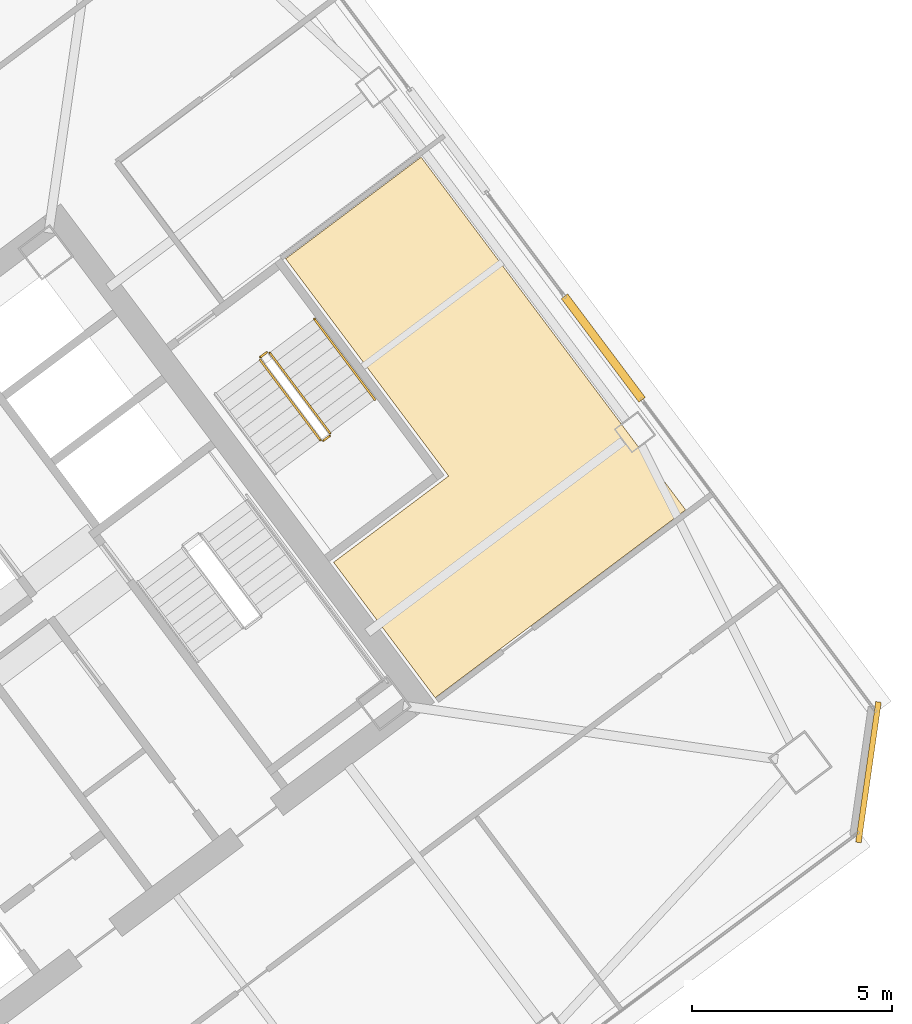
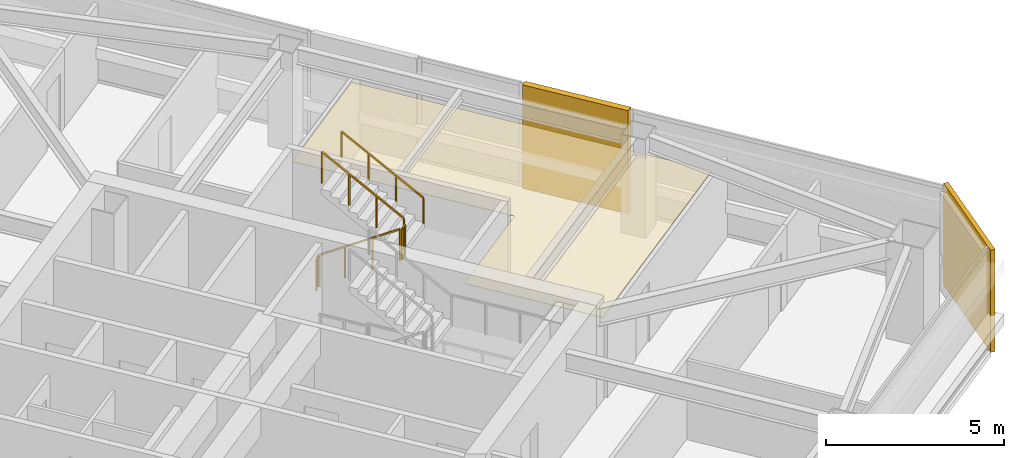
# One storey, part 41 of 43: 5 railings, 3 coverings.
"""IFC4 building model written with IfcOpenShell, lengths in metres."""

from ifc_helpers import new_model, si_unit, direction, frame, origin, origin_2d, place, context, subcontext, project, spatial, polyline, rectangle, outline, extrude, material, layer, layer_set, type_object, element, save


model = new_model("IFC4")

# Units and contexts
model_context = context("Model", 3, precision=1e-05, world=origin(), true_north=direction((0.0, 1.0)))
body_context = subcontext(model_context, "Body", "Model", "MODEL_VIEW")
ifc_project = project(units=[si_unit("LENGTHUNIT", "METRE"), si_unit("AREAUNIT", "SQUARE_METRE"), si_unit("VOLUMEUNIT", "CUBIC_METRE"), si_unit("PLANEANGLEUNIT", "RADIAN"), si_unit("MASSUNIT", "GRAM", prefix="KILO")], contexts=[model_context])

# Site, building, storey
site_placement = place(None, origin())
site = spatial("IfcSite", under=ifc_project, at=site_placement, CompositionType="ELEMENT")
building_placement = place(site_placement, origin())
building = spatial("IfcBuilding", under=site, at=building_placement, Name="Tashvorn Skyway Center", CompositionType="ELEMENT")
storey_placement = place(building_placement, frame((0.0, 0.0, 188.949951171875)))
storey = spatial("IfcBuildingStorey", under=building, at=storey_placement, Name="L51", CompositionType="ELEMENT", Elevation=188.949951171875)

# Coverings
ifc_material_1 = material(Name="Precast concrete C40/50", Category="concrete")
ifc_layer_1 = layer(ifc_material_1, 0.199951171875)
ifc_layer_set_1 = layer_set([ifc_layer_1], Name="Precast concrete C40/50")
covering_type_1 = type_object("IfcCoveringType", Name="COV-BRACE-CLAD", PredefinedType="CLADDING", material=ifc_layer_set_1)
covering_1_placement = place(storey_placement, frame((129.367919921875, 39.47607421875, 0.0), z_axis=(0.0, 0.0, 1.0), x_axis=(0.600000004945, -0.799999996291, 0.0)))
element("IfcCovering", 1, at=covering_1_placement, inside=storey, type_object=covering_type_1, Name="Tower 2 L51 East Unitised Curtain Wall Mega-Brace Cladding Band 2", PredefinedType="CLADDING", context=body_context, shape_type="SweptSolid", body=[
    extrude(rectangle(XDim=3.239990234375, YDim=0.199951171875, at=origin_2d()), origin(), (0.0, 0.0, 1.0), 3.550048828125),
])
ifc_material_2 = material(Name="Mineral-fibre acoustic ceiling tile on suspended grid")
ifc_layer_2 = layer(ifc_material_2, 0.02001953125)
ifc_layer_set_2 = layer_set([ifc_layer_2], Name="Mineral-fibre acoustic ceiling tile on suspended grid")
covering_type_2 = type_object("IfcCoveringType", Name="COV-CEIL-20", PredefinedType="CEILING", material=ifc_layer_set_2)
covering_2_placement = place(storey_placement, frame((0.0, 0.0, 2.703125)))
element("IfcCovering", 2, at=covering_2_placement, inside=storey, type_object=covering_type_2, Name="Tower 2 L51 Public Restroom Acoustic Ceiling", PredefinedType="CEILING", context=body_context, shape_type="SweptSolid", body=[
    extrude(outline(polyline([(125.159912109375, 30.719970703125), (122.615966796875, 34.112060546875), (125.49609375, 36.27197265625), (121.416015625, 41.7119140625), (124.80810546875, 44.256103515625), (128.887939453125, 38.81591796875), (131.431884765625, 35.424072265625), (125.159912109375, 30.719970703125)])), origin(), (0.0, 0.0, 1.0), 0.02001953125),
])
ifc_layer_3 = layer(ifc_material_1, 0.35009765625)
ifc_layer_set_3 = layer_set([ifc_layer_3], Name="Precast concrete C40/50")
covering_type_3 = type_object("IfcCoveringType", Name="COV-STONE-TRIM", PredefinedType="CLADDING", material=ifc_layer_set_3)
covering_3_placement = place(storey_placement, frame((136.008056640625, 28.85595703125, 0.02001953125), z_axis=(0.0, 0.0, 1.0), x_axis=(0.141421350118, 0.989949494535, 0.0)))
element("IfcCovering", 3, at=covering_3_placement, inside=storey, type_object=covering_type_3, Name="Tower 2 L51 SE Mojave Limestone Corner Quoin", PredefinedType="CLADDING", context=body_context, shape_type="SweptSolid", body=[
    extrude(rectangle(XDim=3.55419921875, YDim=0.139892578125, at=origin_2d()), origin(), (0.0, 0.0, 1.0), 3.510009765625),
])

# Railings
ifc_material_3 = material(Name="Brushed stainless steel 316", Category="steel")
railing_type_1 = type_object("IfcRailingType", Name="RAIL-HAND-920", PredefinedType="HANDRAIL", material=ifc_material_3)
railing_1_placement = place(storey_placement, frame((123.64794921875, 38.18603515625, 1.95263671875)))
element("IfcRailing", 4, at=railing_1_placement, inside=storey, type_object=railing_type_1, Name="L51 ST-T2-3 stair handrail 2", PredefinedType="HANDRAIL", context=body_context, shape_type="SweptSolid", body=[
    extrude(rectangle(XDim=0.048095703125, YDim=0.048095703125, at=origin_2d()), frame((0.0, 0.0, 0.8759765625), z_axis=(-0.506768818287, 0.675664481285, 0.535409071218), x_axis=(-0.79998837352, -0.60001550166, 0.0)), (0.0, 0.0, 1.0), 2.983642578125),
    extrude(rectangle(XDim=0.0419921875, YDim=0.0419921875, at=origin_2d()), origin(), (0.0, 0.0, 1.0), 0.851806640625),
    extrude(rectangle(XDim=0.0419921875, YDim=0.0419921875, at=origin_2d()), frame((-0.50390625, 0.671875, 0.532470703125)), (0.0, 0.0, 1.0), 0.851806640625),
    extrude(rectangle(XDim=0.0419921875, YDim=0.0419921875, at=origin_2d()), frame((-1.008056640625, 1.343994140625, 1.06494140625)), (0.0, 0.0, 1.0), 0.851806640625),
    extrude(rectangle(XDim=0.0419921875, YDim=0.0419921875, at=origin_2d()), frame((-1.511962890625, 2.015869140625, 1.597412109375)), (0.0, 0.0, 1.0), 0.851806640625),
])
ifc_material_4 = material(Name="Painted galvanized steel S355", Category="steel")
railing_type_2 = type_object("IfcRailingType", Name="RAIL-STGUARD-1100", PredefinedType="GUARDRAIL", material=ifc_material_4)
railing_2_placement = place(storey_placement, frame((120.77587890625, 39.181884765625, 0.177490234375)))
element("IfcRailing", 5, at=railing_2_placement, inside=storey, type_object=railing_type_2, Name="L51 ST-T2-3 stair guard 1", PredefinedType="GUARDRAIL", context=body_context, shape_type="SweptSolid", body=[
    extrude(rectangle(XDim=0.048095703125, YDim=0.048095703125, at=origin_2d()), frame((0.0, 0.0, 1.076171875), z_axis=(0.506807425148, -0.675606863004, 0.535445235739), x_axis=(0.799941867976, 0.600077501544, 0.0)), (0.0, 0.0, 1.0), 2.98388671875),
    extrude(rectangle(XDim=0.0419921875, YDim=0.0419921875, at=origin_2d()), origin(), (0.0, 0.0, 1.0), 1.052001953125),
    extrude(rectangle(XDim=0.0419921875, YDim=0.0419921875, at=origin_2d()), frame((0.504150390625, -0.671875, 0.532470703125)), (0.0, 0.0, 1.0), 1.052001953125),
    extrude(rectangle(XDim=0.0419921875, YDim=0.0419921875, at=origin_2d()), frame((1.008056640625, -1.343994140625, 1.065185546875)), (0.0, 0.0, 1.0), 1.052001953125),
    extrude(rectangle(XDim=0.0419921875, YDim=0.0419921875, at=origin_2d()), frame((1.51220703125, -2.015869140625, 1.59765625)), (0.0, 0.0, 1.0), 1.052001953125),
])
railing_3_placement = place(storey_placement, frame((122.35791015625, 37.156005859375, 1.775146484375)))
element("IfcRailing", 6, at=railing_3_placement, inside=storey, type_object=railing_type_2, Name="L51 ST-T2-3 stair guard 2", PredefinedType="GUARDRAIL", context=body_context, shape_type="SweptSolid", body=[
    extrude(rectangle(XDim=0.048095703125, YDim=0.048095703125, at=origin_2d()), frame((0.0, 0.0, 1.076171875), z_axis=(0.800585412921, 0.599218655098, 0.0), x_axis=(-0.599218655098, 0.800585412921, 0.0)), (0.0, 0.0, 1.0), 0.199951171875),
    extrude(rectangle(XDim=0.0419921875, YDim=0.0419921875, at=origin_2d()), origin(), (0.0, 0.0, 1.0), 1.052001953125),
    extrude(rectangle(XDim=0.0419921875, YDim=0.0419921875, at=origin_2d()), frame((0.16015625, 0.119873046875, 0.0)), (0.0, 0.0, 1.0), 1.052001953125),
])
railing_4_placement = place(storey_placement, frame((122.528076171875, 37.345947265625, 1.95263671875)))
element("IfcRailing", 7, at=railing_4_placement, inside=storey, type_object=railing_type_2, Name="L51 ST-T2-3 stair guard 3", PredefinedType="GUARDRAIL", context=body_context, shape_type="SweptSolid", body=[
    extrude(rectangle(XDim=0.048095703125, YDim=0.048095703125, at=origin_2d()), frame((0.0, 0.0, 1.076171875), z_axis=(-0.506740800098, 0.675708949977, 0.535379469569), x_axis=(-0.800023250257, -0.599968998406, 0.0)), (0.0, 0.0, 1.0), 2.983642578125),
    extrude(rectangle(XDim=0.0419921875, YDim=0.0419921875, at=origin_2d()), origin(), (0.0, 0.0, 1.0), 1.052001953125),
    extrude(rectangle(XDim=0.0419921875, YDim=0.0419921875, at=origin_2d()), frame((-0.50390625, 0.672119140625, 0.532470703125)), (0.0, 0.0, 1.0), 1.052001953125),
    extrude(rectangle(XDim=0.0419921875, YDim=0.0419921875, at=origin_2d()), frame((-1.008056640625, 1.343994140625, 1.06494140625)), (0.0, 0.0, 1.0), 1.052001953125),
    extrude(rectangle(XDim=0.0419921875, YDim=0.0419921875, at=origin_2d()), frame((-1.511962890625, 2.01611328125, 1.597412109375)), (0.0, 0.0, 1.0), 1.052001953125),
])
railing_5_placement = place(storey_placement, frame((120.785888671875, 39.251953125, 0.0)))
element("IfcRailing", 8, at=railing_5_placement, inside=storey, type_object=railing_type_2, Name="L51 ST-T2-3 stair guard 4", PredefinedType="GUARDRAIL", context=body_context, shape_type="SweptSolid", body=[
    extrude(rectangle(XDim=0.048095703125, YDim=0.048095703125, at=origin_2d()), frame((0.0, 0.0, 1.076171875), z_axis=(0.8, 0.6, 0.0), x_axis=(-0.6, 0.8, 0.0)), (0.0, 0.0, 1.0), 0.2001953125),
    extrude(rectangle(XDim=0.0419921875, YDim=0.0419921875, at=origin_2d()), origin(), (0.0, 0.0, 1.0), 1.052001953125),
    extrude(rectangle(XDim=0.0419921875, YDim=0.0419921875, at=origin_2d()), frame((0.16015625, 0.1201171875, 0.0)), (0.0, 0.0, 1.0), 1.052001953125),
])

save(model, "model.ifc")
